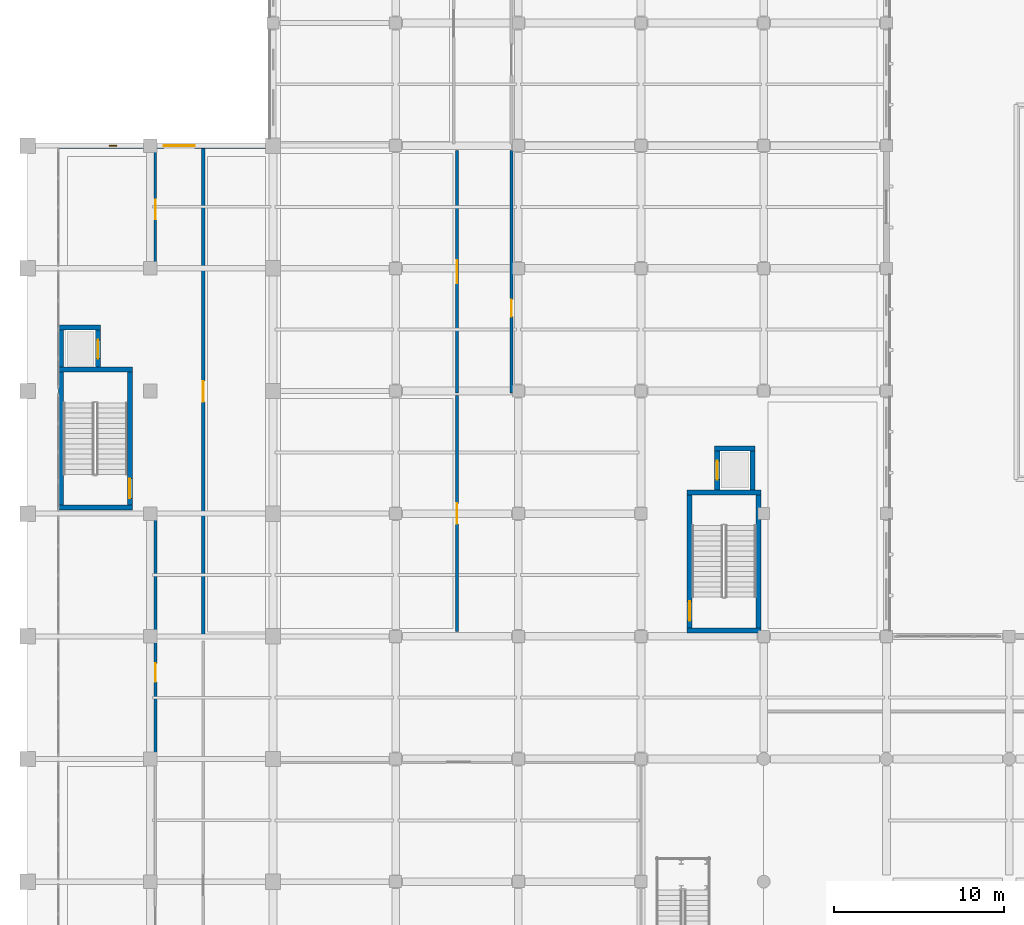
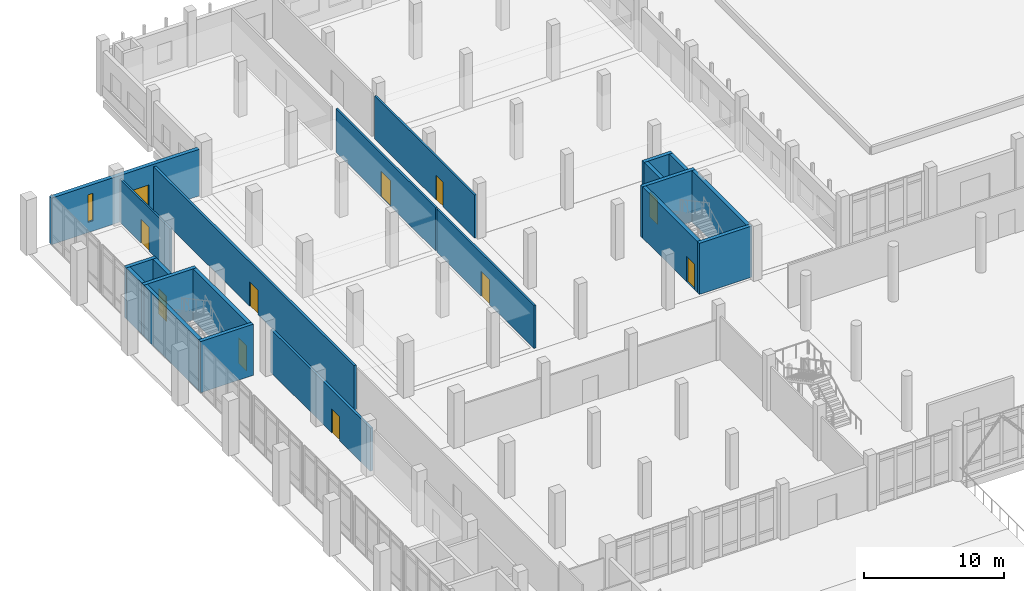
# One storey, part 37 of 59: 21 walls, 11 doors, 1 window, 12 openings.
"""IFC4 building model written with IfcOpenShell, lengths in metres."""

from ifc_helpers import new_model, si_unit, direction, frame, frame_2d, origin, place, context, subcontext, project, spatial, rectangle, extrude, material, layer, layer_set, type_object, element, fill, save


model = new_model("IFC4")

# Units and contexts
model_context = context("Model", 3, precision=1e-05, world=origin(), true_north=direction((0.0, 1.0)))
body_context = subcontext(model_context, "Body", "Model", "MODEL_VIEW")
ifc_project = project(units=[si_unit("LENGTHUNIT", "METRE"), si_unit("AREAUNIT", "SQUARE_METRE"), si_unit("VOLUMEUNIT", "CUBIC_METRE"), si_unit("PLANEANGLEUNIT", "RADIAN"), si_unit("MASSUNIT", "GRAM", prefix="KILO")], contexts=[model_context])

# Site, building, storey
site_placement = place(None, origin())
site = spatial("IfcSite", under=ifc_project, at=site_placement, CompositionType="ELEMENT")
building_placement = place(site_placement, origin())
building = spatial("IfcBuilding", under=site, at=building_placement, Name="Valkovuoma Quantum and Materials Research Institute", CompositionType="ELEMENT")
storey_placement = place(building_placement, origin())
storey = spatial("IfcBuildingStorey", under=building, at=storey_placement, Name="L00", CompositionType="ELEMENT", Elevation=0.0)

# Walls
ifc_material_1 = material(Name="Concrete C40/50", Category="concrete")
ifc_layer_1 = layer(ifc_material_1, 0.300048828125)
ifc_layer_set_1 = layer_set([ifc_layer_1], Name="Concrete C40/50")
wall_type_1 = type_object("IfcWallType", Name="Wall-W-COR300", PredefinedType="SHEAR", material=ifc_layer_set_1)
for number, where, z_axis, x_axis, name in (
    (1, (1.800048828125, 72.35009765625, 0.0), (0.0, 0.0, 1.0), (1.0, 0.0, 0.0), "L00 core wall 0129"),
    (2, (1.800048828125, 80.449951171875, 0.0), (0.0, 0.0, 1.0), (1.0, 0.0, 0.0), "L00 core wall 0130"),
):
    element("IfcWall", number, at=place(storey_placement, frame(where, z_axis=z_axis, x_axis=x_axis)), inside=storey, type_object=wall_type_1, Name=name, PredefinedType="SHEAR", context=body_context, shape_type="SweptSolid", body=[
        extrude(rectangle(XDim=4.349853515625, YDim=0.300048828125, at=frame_2d((2.1748046875, 0.0))), origin(), (0.0, 0.0, 1.0), 4.449951171875),
    ])
wall_1_placement = place(storey_placement, frame((1.949951171875, 72.5, 0.0), z_axis=(0.0, 0.0, 1.0), x_axis=(0.0, 1.0, 0.0)))
element("IfcWall", 3, at=wall_1_placement, inside=storey, type_object=wall_type_1, Name="L00 core wall 0131", PredefinedType="SHEAR", context=body_context, shape_type="SweptSolid", body=[
    extrude(rectangle(XDim=7.800048828125, YDim=0.300048828125, at=frame_2d((3.89990234375, 0.0))), origin(), (0.0, 0.0, 1.0), 4.449951171875),
])

# Wall, opening, door
wall_2_placement = place(storey_placement, frame((6.0, 72.5, 0.0), z_axis=(0.0, 0.0, 1.0), x_axis=(0.0, 1.0, 0.0)))
wall_2 = element("IfcWall", 4, at=wall_2_placement, inside=storey, type_object=wall_type_1, Name="L00 core wall 0132", PredefinedType="SHEAR", context=body_context, shape_type="SweptSolid", body=[
    extrude(rectangle(XDim=7.800048828125, YDim=0.300048828125, at=frame_2d((3.89990234375, 0.0))), origin(), (0.0, 0.0, 1.0), 4.449951171875),
])
opening_1_placement = place(wall_2_placement, frame((0.39990234375, 0.0, 0.0)))
opening_1 = element("IfcOpeningElement", 5, at=opening_1_placement, cuts=wall_2, Name="Opening SD-024", PredefinedType="OPENING", context=body_context, shape_type="SweptSolid", body=[
    extrude(rectangle(XDim=1.14990234375, YDim=2.199951171875, at=frame_2d((0.574951171875, 1.10009765625))), frame((0.0, 0.16015625, 0.0), z_axis=(0.0, -1.0, 0.0), x_axis=(1.0, 0.0, 0.0)), (0.0, 0.0, 1.0), 0.320068359375),
])
ifc_material_2 = material(Name="Powder-coated steel and acoustic timber door assembly", Category="steel")
door_type_1 = type_object("IfcDoorType", Name="Door-DR-ST60", OperationType="NOTDEFINED", PredefinedType="DOOR", material=ifc_material_2)
door_1_placement = place(opening_1_placement, origin())
door_1 = element("IfcDoor", 6, at=door_1_placement, inside=storey, type_object=door_type_1, Name="L00 ST-2 fire door", OperationType="SINGLE_SWING_LEFT", OverallHeight=2.199951171875, OverallWidth=1.14990234375, PredefinedType="DOOR", context=body_context, shape_type="SweptSolid", body=[
    extrude(rectangle(XDim=1.14990234375, YDim=2.199951171875, at=frame_2d((0.574951171875, 1.10009765625))), frame((0.0, 0.02490234375, 0.0), z_axis=(0.0, -1.0, 0.0), x_axis=(1.0, 0.0, 0.0)), (0.0, 0.0, 1.0), 0.050048828125),
])
fill(opening_1, door_1)

# Walls
wall_3_placement = place(storey_placement, frame((1.800048828125, 82.929931640625, 0.0), z_axis=(0.0, 0.0, 1.0), x_axis=(1.0, 0.0, 0.0)))
element("IfcWall", 7, at=wall_3_placement, inside=storey, type_object=wall_type_1, Name="L00 core wall 0133", PredefinedType="SHEAR", context=body_context, shape_type="SweptSolid", body=[
    extrude(rectangle(XDim=2.47998046875, YDim=0.300048828125, at=frame_2d((1.239990234375, 0.0))), origin(), (0.0, 0.0, 1.0), 4.449951171875),
])
wall_4_placement = place(storey_placement, frame((1.949951171875, 80.60009765625, 0.0), z_axis=(0.0, 0.0, 1.0), x_axis=(0.0, 1.0, 0.0)))
element("IfcWall", 8, at=wall_4_placement, inside=storey, type_object=wall_type_1, Name="L00 core wall 0134", PredefinedType="SHEAR", context=body_context, shape_type="SweptSolid", body=[
    extrude(rectangle(XDim=2.179931640625, YDim=0.300048828125, at=frame_2d((1.08984375, 0.0))), origin(), (0.0, 0.0, 1.0), 4.449951171875),
])

# Wall, opening, door
wall_5_placement = place(storey_placement, frame((4.1298828125, 80.60009765625, 0.0), z_axis=(0.0, 0.0, 1.0), x_axis=(0.0, 1.0, 0.0)))
wall_5 = element("IfcWall", 9, at=wall_5_placement, inside=storey, type_object=wall_type_1, Name="L00 core wall 0135", PredefinedType="SHEAR", context=body_context, shape_type="SweptSolid", body=[
    extrude(rectangle(XDim=2.179931640625, YDim=0.300048828125, at=frame_2d((1.08984375, 0.0))), origin(), (0.0, 0.0, 1.0), 4.449951171875),
])
opening_2_placement = place(wall_5_placement, frame((0.5, 0.0, 0.0)))
opening_2 = element("IfcOpeningElement", 10, at=opening_2_placement, cuts=wall_5, Name="Opening LD-024", PredefinedType="OPENING", context=body_context, shape_type="SweptSolid", body=[
    extrude(rectangle(XDim=1.10009765625, YDim=2.199951171875, at=frame_2d((0.550048828125, 1.10009765625))), frame((0.0, 0.16015625, 0.0), z_axis=(0.0, -1.0, 0.0), x_axis=(1.0, 0.0, 0.0)), (0.0, 0.0, 1.0), 0.320068359375),
])
ifc_material_3 = material(Name="Powder-coated steel and acoustic timber door assembly", Category="steel")
door_type_2 = type_object("IfcDoorType", Name="Door-DR-LD01", OperationType="NOTDEFINED", PredefinedType="DOOR", material=ifc_material_3)
door_2_placement = place(opening_2_placement, origin())
door_2 = element("IfcDoor", 11, at=door_2_placement, inside=storey, type_object=door_type_2, Name="L00 LIFT-P2 sliding landing door", OperationType="SLIDING_TO_LEFT", OverallHeight=2.199951171875, OverallWidth=1.10009765625, PredefinedType="DOOR", context=body_context, shape_type="SweptSolid", body=[
    extrude(rectangle(XDim=1.10009765625, YDim=2.199951171875, at=frame_2d((0.550048828125, 1.10009765625))), frame((0.0, 0.02490234375, 0.0), z_axis=(0.0, -1.0, 0.0), x_axis=(1.0, 0.0, 0.0)), (0.0, 0.0, 1.0), 0.050048828125),
])
fill(opening_2, door_2)

# Walls
for number, where, z_axis, x_axis, name in (
    (12, (38.699951171875, 65.14990234375, 0.0), (0.0, 0.0, 1.0), (1.0, 0.0, 0.0), "L00 core wall 0270"),
    (13, (38.699951171875, 73.25, 0.0), (0.0, 0.0, 1.0), (1.0, 0.0, 0.0), "L00 core wall 0271"),
):
    element("IfcWall", number, at=place(storey_placement, frame(where, z_axis=z_axis, x_axis=x_axis)), inside=storey, type_object=wall_type_1, Name=name, PredefinedType="SHEAR", context=body_context, shape_type="SweptSolid", body=[
        extrude(rectangle(XDim=4.35009765625, YDim=0.300048828125, at=frame_2d((2.175048828125, 0.0))), origin(), (0.0, 0.0, 1.0), 4.449951171875),
    ])

# Wall, opening, door
wall_6_placement = place(storey_placement, frame((38.85009765625, 65.300048828125, 0.0), z_axis=(0.0, 0.0, 1.0), x_axis=(0.0, 1.0, 0.0)))
wall_6 = element("IfcWall", 14, at=wall_6_placement, inside=storey, type_object=wall_type_1, Name="L00 core wall 0272", PredefinedType="SHEAR", context=body_context, shape_type="SweptSolid", body=[
    extrude(rectangle(XDim=7.800048828125, YDim=0.300048828125, at=frame_2d((3.89990234375, 0.0))), origin(), (0.0, 0.0, 1.0), 4.449951171875),
])
opening_3_placement = place(wall_6_placement, frame((0.39990234375, 0.0, 0.0)))
opening_3 = element("IfcOpeningElement", 15, at=opening_3_placement, cuts=wall_6, Name="Opening SD-043", PredefinedType="OPENING", context=body_context, shape_type="SweptSolid", body=[
    extrude(rectangle(XDim=1.14990234375, YDim=2.199951171875, at=frame_2d((0.574951171875, 1.10009765625))), frame((0.0, 0.16015625, 0.0), z_axis=(0.0, -1.0, 0.0), x_axis=(1.0, 0.0, 0.0)), (0.0, 0.0, 1.0), 0.320068359375),
])
door_3_placement = place(opening_3_placement, frame((1.14990234375, 0.0, 0.0), z_axis=(0.0, 0.0, 1.0), x_axis=(-1.0, 0.0, 0.0)))
door_3 = element("IfcDoor", 16, at=door_3_placement, inside=storey, type_object=door_type_1, Name="L00 ST-4 fire door", OperationType="SINGLE_SWING_RIGHT", OverallHeight=2.199951171875, OverallWidth=1.14990234375, PredefinedType="DOOR", context=body_context, shape_type="SweptSolid", body=[
    extrude(rectangle(XDim=1.14990234375, YDim=2.199951171875, at=frame_2d((0.574951171875, 1.10009765625))), frame((0.0, 0.02490234375, 0.0), z_axis=(0.0, -1.0, 0.0), x_axis=(1.0, 0.0, 0.0)), (0.0, 0.0, 1.0), 0.050048828125),
])
fill(opening_3, door_3)

# Walls
wall_7_placement = place(storey_placement, frame((42.89990234375, 65.300048828125, 0.0), z_axis=(0.0, 0.0, 1.0), x_axis=(0.0, 1.0, 0.0)))
element("IfcWall", 17, at=wall_7_placement, inside=storey, type_object=wall_type_1, Name="L00 core wall 0273", PredefinedType="SHEAR", context=body_context, shape_type="SweptSolid", body=[
    extrude(rectangle(XDim=7.800048828125, YDim=0.300048828125, at=frame_2d((3.89990234375, 0.0))), origin(), (0.0, 0.0, 1.0), 4.449951171875),
])
wall_8_placement = place(storey_placement, frame((40.320068359375, 75.830078125, 0.0), z_axis=(0.0, 0.0, 1.0), x_axis=(1.0, 0.0, 0.0)))
element("IfcWall", 18, at=wall_8_placement, inside=storey, type_object=wall_type_1, Name="L00 core wall 0274", PredefinedType="SHEAR", context=body_context, shape_type="SweptSolid", body=[
    extrude(rectangle(XDim=2.35986328125, YDim=0.300048828125, at=frame_2d((1.179931640625, 0.0))), origin(), (0.0, 0.0, 1.0), 4.449951171875),
])

# Wall, opening, door
wall_9_placement = place(storey_placement, frame((40.469970703125, 73.39990234375, 0.0), z_axis=(0.0, 0.0, 1.0), x_axis=(0.0, 1.0, 0.0)))
wall_9 = element("IfcWall", 19, at=wall_9_placement, inside=storey, type_object=wall_type_1, Name="L00 core wall 0275", PredefinedType="SHEAR", context=body_context, shape_type="SweptSolid", body=[
    extrude(rectangle(XDim=2.280029296875, YDim=0.300048828125, at=frame_2d((1.14013671875, 0.0))), origin(), (0.0, 0.0, 1.0), 4.449951171875),
])
opening_4_placement = place(wall_9_placement, frame((0.60009765625, 0.0, 0.0)))
opening_4 = element("IfcOpeningElement", 20, at=opening_4_placement, cuts=wall_9, Name="Opening LD-051", PredefinedType="OPENING", context=body_context, shape_type="SweptSolid", body=[
    extrude(rectangle(XDim=1.10009765625, YDim=2.199951171875, at=frame_2d((0.550048828125, 1.10009765625))), frame((0.0, 0.16015625, 0.0), z_axis=(0.0, -1.0, 0.0), x_axis=(1.0, 0.0, 0.0)), (0.0, 0.0, 1.0), 0.320068359375),
])
door_4_placement = place(opening_4_placement, origin())
door_4 = element("IfcDoor", 21, at=door_4_placement, inside=storey, type_object=door_type_2, Name="L00 LIFT-P4 sliding landing door", OperationType="SLIDING_TO_LEFT", OverallHeight=2.199951171875, OverallWidth=1.10009765625, PredefinedType="DOOR", context=body_context, shape_type="SweptSolid", body=[
    extrude(rectangle(XDim=1.10009765625, YDim=2.199951171875, at=frame_2d((0.550048828125, 1.10009765625))), frame((0.0, 0.02490234375, 0.0), z_axis=(0.0, -1.0, 0.0), x_axis=(1.0, 0.0, 0.0)), (0.0, 0.0, 1.0), 0.050048828125),
])
fill(opening_4, door_4)

# Wall
wall_10_placement = place(storey_placement, frame((42.530029296875, 73.39990234375, 0.0), z_axis=(0.0, 0.0, 1.0), x_axis=(0.0, 1.0, 0.0)))
element("IfcWall", 22, at=wall_10_placement, inside=storey, type_object=wall_type_1, Name="L00 core wall 0276", PredefinedType="SHEAR", context=body_context, shape_type="SweptSolid", body=[
    extrude(rectangle(XDim=2.280029296875, YDim=0.300048828125, at=frame_2d((1.14013671875, 0.0))), origin(), (0.0, 0.0, 1.0), 4.449951171875),
])

# Wall, openings, door, window
ifc_material_4 = material(Name="Precast concrete C40/50", Category="concrete")
ifc_layer_2 = layer(ifc_material_4, 0.320068359375)
ifc_layer_set_2 = layer_set([ifc_layer_2], Name="Precast concrete C40/50")
wall_type_2 = type_object("IfcWallType", Name="Wall-W-EXT320", PredefinedType="SOLIDWALL", material=ifc_layer_set_2)
wall_11_placement = place(storey_placement, frame((1.800048828125, 93.60009765625, 0.0), z_axis=(0.0, 0.0, 1.0), x_axis=(1.0, 0.0, 0.0)))
wall_11 = element("IfcWall", 23, at=wall_11_placement, inside=storey, type_object=wall_type_2, Name="L00 exterior wall 0031", PredefinedType="SOLIDWALL", context=body_context, shape_type="SweptSolid", body=[
    extrude(rectangle(XDim=12.159912109375, YDim=0.320068359375, at=frame_2d((6.080078125, 0.0))), origin(), (0.0, 0.0, 1.0), 4.06005859375),
])
opening_5_placement = place(wall_11_placement, frame((2.97509765625, 0.0, 0.89990234375)))
opening_5 = element("IfcOpeningElement", 24, at=opening_5_placement, cuts=wall_11, Name="Opening WN-SL01", PredefinedType="OPENING", context=body_context, shape_type="SweptSolid", body=[
    extrude(rectangle(XDim=0.449951171875, YDim=2.39990234375, at=frame_2d((0.22509765625, 1.199951171875))), frame((0.0, 0.169921875, 0.0), z_axis=(0.0, -1.0, 0.0), x_axis=(1.0, 0.0, 0.0)), (0.0, 0.0, 1.0), 0.340087890625),
])
opening_6_placement = place(wall_11_placement, frame((6.199951171875, 0.0, 0.0)))
opening_6 = element("IfcOpeningElement", 25, at=opening_6_placement, cuts=wall_11, Name="Opening ED-005", PredefinedType="OPENING", context=body_context, shape_type="SweptSolid", body=[
    extrude(rectangle(XDim=1.800048828125, YDim=2.39990234375, at=frame_2d((0.89990234375, 1.199951171875))), frame((0.0, 0.169921875, 0.0), z_axis=(0.0, -1.0, 0.0), x_axis=(1.0, 0.0, 0.0)), (0.0, 0.0, 1.0), 0.340087890625),
])
ifc_material_5 = material(Name="Thermally broken insulated aluminium and steel door", Category="steel")
door_type_3 = type_object("IfcDoorType", Name="Door-DR-EX02", OperationType="NOTDEFINED", PredefinedType="DOOR", material=ifc_material_5)
door_5_placement = place(opening_6_placement, origin())
door_5 = element("IfcDoor", 26, at=door_5_placement, inside=storey, type_object=door_type_3, Name="L00 exterior door 005", OperationType="DOUBLE_DOOR_SINGLE_SWING", OverallHeight=2.39990234375, OverallWidth=1.800048828125, PredefinedType="DOOR", context=body_context, shape_type="SweptSolid", body=[
    extrude(rectangle(XDim=1.800048828125, YDim=2.39990234375, at=frame_2d((0.89990234375, 1.199951171875))), frame((0.0, 0.02490234375, 0.0), z_axis=(0.0, -1.0, 0.0), x_axis=(1.0, 0.0, 0.0)), (0.0, 0.0, 1.0), 0.050048828125),
])
fill(opening_6, door_5)
ifc_material_6 = material(Name="Triple low-E argon glazing in thermally broken aluminium frame", Category="aluminium")
window_type = type_object("IfcWindowType", Name="Win-WN-SL01", PartitioningType="SINGLE_PANEL", PredefinedType="WINDOW", material=ifc_material_6)
window_placement = place(opening_5_placement, origin())
window = element("IfcWindow", 27, at=window_placement, inside=storey, type_object=window_type, Name="L00 window 0002", OverallHeight=2.39990234375, OverallWidth=0.449951171875, PartitioningType="SINGLE_PANEL", PredefinedType="WINDOW", context=body_context, shape_type="SweptSolid", body=[
    extrude(rectangle(XDim=0.449951171875, YDim=2.39990234375, at=frame_2d((0.22509765625, 1.199951171875))), frame((0.0, 0.030029296875, 0.0), z_axis=(0.0, -1.0, 0.0), x_axis=(1.0, 0.0, 0.0)), (0.0, 0.0, 1.0), 0.06005859375),
])
fill(opening_5, window)

# Wall, opening, door
ifc_material_7 = material(Name="Acoustic write-up studio partition", Category="masonry")
ifc_layer_3 = layer(ifc_material_7, 0.14990234375)
ifc_layer_set_3 = layer_set([ifc_layer_3], Name="Acoustic write-up studio partition")
wall_type_3 = type_object("IfcWallType", Name="Wall-W-PRT150", PredefinedType="PARTITIONING", material=ifc_layer_set_3)
wall_12_placement = place(storey_placement, frame((7.5, 86.27490234375, 0.0), z_axis=(0.0, 0.0, 1.0), x_axis=(0.0, 1.0, 0.0)))
wall_12 = element("IfcWall", 28, at=wall_12_placement, inside=storey, type_object=wall_type_3, Name="L00 partition 0029", PredefinedType="PARTITIONING", context=body_context, shape_type="SweptSolid", body=[
    extrude(rectangle(XDim=7.1650390625, YDim=0.14990234375, at=frame_2d((3.58251953125, 0.0))), origin(), (0.0, 0.0, 1.0), 3.75),
])
opening_7_placement = place(wall_12_placement, frame((3.017578125, 0.0, 0.0)))
opening_7 = element("IfcOpeningElement", 29, at=opening_7_placement, cuts=wall_12, Name="Opening ID-0021", PredefinedType="OPENING", context=body_context, shape_type="SweptSolid", body=[
    extrude(rectangle(XDim=1.1298828125, YDim=2.080078125, at=frame_2d((0.56494140625, 1.0400390625))), frame((0.0, 0.0849609375, 0.0), z_axis=(0.0, -1.0, 0.0), x_axis=(1.0, 0.0, 0.0)), (0.0, 0.0, 1.0), 0.169921875),
])
ifc_material_8 = material(Name="Powder-coated steel and acoustic timber door assembly", Category="steel")
door_type_4 = type_object("IfcDoorType", Name="Door-DR-RM05", OperationType="NOTDEFINED", PredefinedType="DOOR", material=ifc_material_8)
door_6_placement = place(opening_7_placement, origin())
door_6 = element("IfcDoor", 30, at=door_6_placement, inside=storey, type_object=door_type_4, Name="L00 room door 0021", OperationType="SINGLE_SWING_RIGHT", OverallHeight=2.080078125, OverallWidth=1.1298828125, PredefinedType="DOOR", context=body_context, shape_type="SweptSolid", body=[
    extrude(rectangle(XDim=1.1298828125, YDim=2.080078125, at=frame_2d((0.56494140625, 1.0400390625))), frame((0.0, 0.02490234375, 0.0), z_axis=(0.0, -1.0, 0.0), x_axis=(1.0, 0.0, 0.0)), (0.0, 0.0, 1.0), 0.050048828125),
])
fill(opening_7, door_6)

ifc_material_9 = material(Name="Cleanroom insulated metal-faced partition", Category="masonry")
ifc_layer_4 = layer(ifc_material_9, 0.159912109375)
ifc_layer_set_4 = layer_set([ifc_layer_4], Name="Cleanroom insulated metal-faced partition")
wall_type_4 = type_object("IfcWallType", Name="Wall-W-PRT160", PredefinedType="PARTITIONING", material=ifc_layer_set_4)
wall_13_placement = place(storey_placement, frame((25.199951171875, 65.080078125, 0.0), z_axis=(0.0, 0.0, 1.0), x_axis=(0.0, 1.0, 0.0)))
wall_13 = element("IfcWall", 31, at=wall_13_placement, inside=storey, type_object=wall_type_4, Name="L00 partition 0042", PredefinedType="PARTITIONING", context=body_context, shape_type="SweptSolid", body=[
    extrude(rectangle(XDim=13.83984375, YDim=0.159912109375, at=frame_2d((6.919921875, 0.0))), origin(), (0.0, 0.0, 1.0), 3.75),
])
opening_8_placement = place(wall_13_placement, frame((6.320068359375, 0.0, 0.0)))
opening_8 = element("IfcOpeningElement", 32, at=opening_8_placement, cuts=wall_13, Name="Opening ID-0030", PredefinedType="OPENING", context=body_context, shape_type="SweptSolid", body=[
    extrude(rectangle(XDim=1.199951171875, YDim=2.14990234375, at=frame_2d((0.60009765625, 1.074951171875))), frame((0.0, 0.08984375, 0.0), z_axis=(0.0, -1.0, 0.0), x_axis=(1.0, 0.0, 0.0)), (0.0, 0.0, 1.0), 0.179931640625),
])
ifc_material_10 = material(Name="Powder-coated steel and acoustic timber door assembly", Category="steel")
door_type_5 = type_object("IfcDoorType", Name="Door-DR-CL02", OperationType="NOTDEFINED", PredefinedType="DOOR", material=ifc_material_10)
door_7_placement = place(opening_8_placement, origin())
door_7 = element("IfcDoor", 33, at=door_7_placement, inside=storey, type_object=door_type_5, Name="L00 room door 0030", OperationType="SINGLE_SWING_LEFT", OverallHeight=2.14990234375, OverallWidth=1.199951171875, PredefinedType="DOOR", context=body_context, shape_type="SweptSolid", body=[
    extrude(rectangle(XDim=1.199951171875, YDim=2.14990234375, at=frame_2d((0.60009765625, 1.074951171875))), frame((0.0, 0.02490234375, 0.0), z_axis=(0.0, -1.0, 0.0), x_axis=(1.0, 0.0, 0.0)), (0.0, 0.0, 1.0), 0.050048828125),
])
fill(opening_8, door_7)

wall_14_placement = place(storey_placement, frame((25.199951171875, 79.080078125, 0.0), z_axis=(0.0, 0.0, 1.0), x_axis=(0.0, 1.0, 0.0)))
wall_14 = element("IfcWall", 34, at=wall_14_placement, inside=storey, type_object=wall_type_4, Name="L00 partition 0043", PredefinedType="PARTITIONING", context=body_context, shape_type="SweptSolid", body=[
    extrude(rectangle(XDim=14.239990234375, YDim=0.159912109375, at=frame_2d((7.1201171875, 0.0))), origin(), (0.0, 0.0, 1.0), 3.75),
])
opening_9_placement = place(wall_14_placement, frame((6.445068359375, 0.0, 0.0)))
opening_9 = element("IfcOpeningElement", 35, at=opening_9_placement, cuts=wall_14, Name="Opening ID-0031", PredefinedType="OPENING", context=body_context, shape_type="SweptSolid", body=[
    extrude(rectangle(XDim=1.35009765625, YDim=2.199951171875, at=frame_2d((0.675048828125, 1.10009765625))), frame((0.0, 0.08984375, 0.0), z_axis=(0.0, -1.0, 0.0), x_axis=(1.0, 0.0, 0.0)), (0.0, 0.0, 1.0), 0.179931640625),
])
ifc_material_11 = material(Name="Powder-coated steel and acoustic timber door assembly", Category="steel")
door_type_6 = type_object("IfcDoorType", Name="Door-DR-CL03", OperationType="NOTDEFINED", PredefinedType="DOOR", material=ifc_material_11)
door_8_placement = place(opening_9_placement, origin())
door_8 = element("IfcDoor", 36, at=door_8_placement, inside=storey, type_object=door_type_6, Name="L00 room door 0031", OperationType="SINGLE_SWING_RIGHT", OverallHeight=2.199951171875, OverallWidth=1.35009765625, PredefinedType="DOOR", context=body_context, shape_type="SweptSolid", body=[
    extrude(rectangle(XDim=1.35009765625, YDim=2.199951171875, at=frame_2d((0.675048828125, 1.10009765625))), frame((0.0, 0.02490234375, 0.0), z_axis=(0.0, -1.0, 0.0), x_axis=(1.0, 0.0, 0.0)), (0.0, 0.0, 1.0), 0.050048828125),
])
fill(opening_9, door_8)

wall_15_placement = place(storey_placement, frame((28.39990234375, 79.080078125, 0.0), z_axis=(0.0, 0.0, 1.0), x_axis=(0.0, 1.0, 0.0)))
wall_15 = element("IfcWall", 37, at=wall_15_placement, inside=storey, type_object=wall_type_4, Name="L00 partition 0045", PredefinedType="PARTITIONING", context=body_context, shape_type="SweptSolid", body=[
    extrude(rectangle(XDim=14.239990234375, YDim=0.159912109375, at=frame_2d((7.1201171875, 0.0))), origin(), (0.0, 0.0, 1.0), 3.75),
])
opening_10_placement = place(wall_15_placement, frame((4.48388671875, 0.0, 0.0)))
opening_10 = element("IfcOpeningElement", 38, at=opening_10_placement, cuts=wall_15, Name="Opening ID-0033", PredefinedType="OPENING", context=body_context, shape_type="SweptSolid", body=[
    extrude(rectangle(XDim=1.0, YDim=2.14990234375, at=frame_2d((0.5, 1.074951171875))), frame((0.0, 0.08984375, 0.0), z_axis=(0.0, -1.0, 0.0), x_axis=(1.0, 0.0, 0.0)), (0.0, 0.0, 1.0), 0.179931640625),
])
ifc_material_12 = material(Name="Powder-coated steel and acoustic timber door assembly", Category="steel")
door_type_7 = type_object("IfcDoorType", Name="Door-DR-CL01", OperationType="NOTDEFINED", PredefinedType="DOOR", material=ifc_material_12)
door_9_placement = place(opening_10_placement, origin())
door_9 = element("IfcDoor", 39, at=door_9_placement, inside=storey, type_object=door_type_7, Name="L00 room door 0033", OperationType="SINGLE_SWING_RIGHT", OverallHeight=2.14990234375, OverallWidth=1.0, PredefinedType="DOOR", context=body_context, shape_type="SweptSolid", body=[
    extrude(rectangle(XDim=1.0, YDim=2.14990234375, at=frame_2d((0.5, 1.074951171875))), frame((0.0, 0.02490234375, 0.0), z_axis=(0.0, -1.0, 0.0), x_axis=(1.0, 0.0, 0.0)), (0.0, 0.0, 1.0), 0.050048828125),
])
fill(opening_10, door_9)

ifc_material_13 = material(Name="Acoustic double-stud gypsum and mineral wool partition", Category="masonry")
ifc_layer_5 = layer(ifc_material_13, 0.199951171875)
ifc_layer_set_5 = layer_set([ifc_layer_5], Name="Acoustic double-stud gypsum and mineral wool partition")
wall_type_5 = type_object("IfcWallType", Name="Wall-W-PRT200", PredefinedType="PARTITIONING", material=ifc_layer_set_5)
wall_16_placement = place(storey_placement, frame((7.5, 57.699951171875, 0.0), z_axis=(0.0, 0.0, 1.0), x_axis=(0.0, 1.0, 0.0)))
wall_16 = element("IfcWall", 40, at=wall_16_placement, inside=storey, type_object=wall_type_5, Name="L00 partition 0028", PredefinedType="PARTITIONING", context=body_context, shape_type="SweptSolid", body=[
    extrude(rectangle(XDim=14.199951171875, YDim=0.199951171875, at=frame_2d((7.10009765625, 0.0))), origin(), (0.0, 0.0, 1.0), 3.75),
])
opening_11_placement = place(wall_16_placement, frame((4.429931640625, 0.0, 0.0)))
opening_11 = element("IfcOpeningElement", 41, at=opening_11_placement, cuts=wall_16, Name="Opening ID-0020", PredefinedType="OPENING", context=body_context, shape_type="SweptSolid", body=[
    extrude(rectangle(XDim=1.080078125, YDim=2.080078125, at=frame_2d((0.5400390625, 1.0400390625))), frame((0.0, 0.10986328125, 0.0), z_axis=(0.0, -1.0, 0.0), x_axis=(1.0, 0.0, 0.0)), (0.0, 0.0, 1.0), 0.219970703125),
])
ifc_material_14 = material(Name="Powder-coated steel and acoustic timber door assembly", Category="steel")
door_type_8 = type_object("IfcDoorType", Name="Door-DR-RM04", OperationType="NOTDEFINED", PredefinedType="DOOR", material=ifc_material_14)
door_10_placement = place(opening_11_placement, origin())
door_10 = element("IfcDoor", 42, at=door_10_placement, inside=storey, type_object=door_type_8, Name="L00 room door 0020", OperationType="SINGLE_SWING_LEFT", OverallHeight=2.080078125, OverallWidth=1.080078125, PredefinedType="DOOR", context=body_context, shape_type="SweptSolid", body=[
    extrude(rectangle(XDim=1.080078125, YDim=2.080078125, at=frame_2d((0.5400390625, 1.0400390625))), frame((0.0, 0.02490234375, 0.0), z_axis=(0.0, -1.0, 0.0), x_axis=(1.0, 0.0, 0.0)), (0.0, 0.0, 1.0), 0.050048828125),
])
fill(opening_11, door_10)

wall_17_placement = place(storey_placement, frame((10.300048828125, 64.89990234375, 0.0), z_axis=(0.0, 0.0, 1.0), x_axis=(0.0, 1.0, 0.0)))
wall_17 = element("IfcWall", 43, at=wall_17_placement, inside=storey, type_object=wall_type_5, Name="L00 partition 0031", PredefinedType="PARTITIONING", context=body_context, shape_type="SweptSolid", body=[
    extrude(rectangle(XDim=28.5400390625, YDim=0.199951171875, at=frame_2d((14.27001953125, 0.0))), origin(), (0.0, 0.0, 1.0), 3.85009765625),
])
opening_12_placement = place(wall_17_placement, frame((13.655029296875, 0.0, 0.0)))
opening_12 = element("IfcOpeningElement", 44, at=opening_12_placement, cuts=wall_17, Name="Opening ID-0023", PredefinedType="OPENING", context=body_context, shape_type="SweptSolid", body=[
    extrude(rectangle(XDim=1.22998046875, YDim=2.1201171875, at=frame_2d((0.614990234375, 1.06005859375))), frame((0.0, 0.10986328125, 0.0), z_axis=(0.0, -1.0, 0.0), x_axis=(1.0, 0.0, 0.0)), (0.0, 0.0, 1.0), 0.219970703125),
])
ifc_material_15 = material(Name="Powder-coated steel and acoustic timber door assembly", Category="steel")
door_type_9 = type_object("IfcDoorType", Name="Door-DR-RM07", OperationType="NOTDEFINED", PredefinedType="DOOR", material=ifc_material_15)
door_11_placement = place(opening_12_placement, origin())
door_11 = element("IfcDoor", 45, at=door_11_placement, inside=storey, type_object=door_type_9, Name="L00 room door 0023", OperationType="SINGLE_SWING_RIGHT", OverallHeight=2.1201171875, OverallWidth=1.22998046875, PredefinedType="DOOR", context=body_context, shape_type="SweptSolid", body=[
    extrude(rectangle(XDim=1.22998046875, YDim=2.1201171875, at=frame_2d((0.614990234375, 1.06005859375))), frame((0.0, 0.02490234375, 0.0), z_axis=(0.0, -1.0, 0.0), x_axis=(1.0, 0.0, 0.0)), (0.0, 0.0, 1.0), 0.050048828125),
])
fill(opening_12, door_11)

save(model, "model.ifc")
